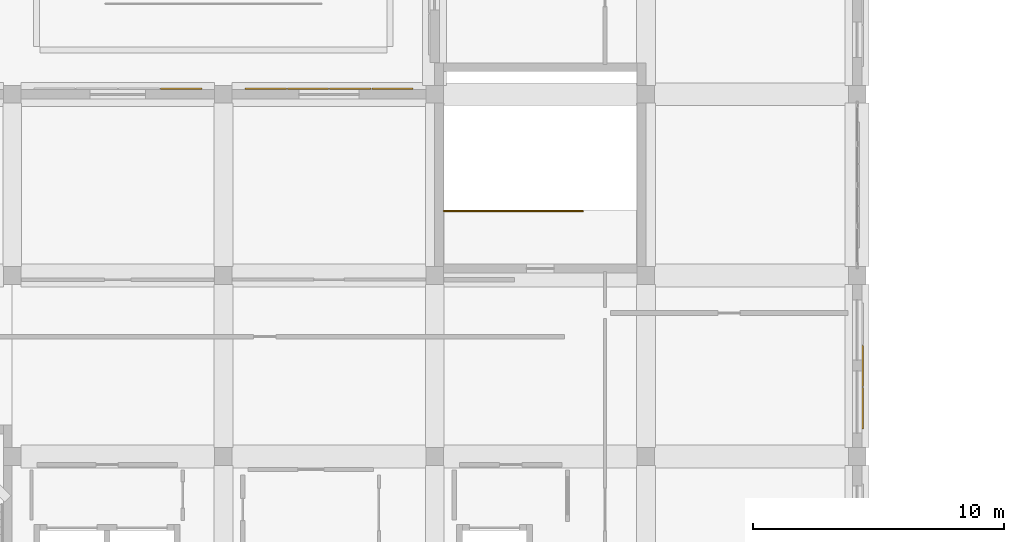
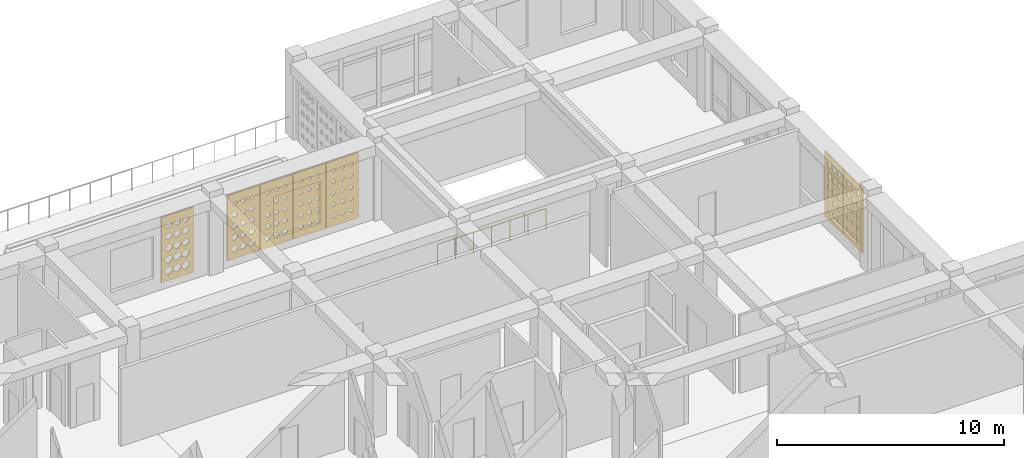
# One storey, part 74 of 79: 7 coverings, 1 railing.
"""IFC4 building model written with IfcOpenShell, lengths in metres."""

from ifc_helpers import new_model, si_unit, derived_unit, direction, frame, origin, origin_2d, place, context, subcontext, project, spatial, polyline, circle, outline, extrude, material, layer, layer_set, type_object, element, save


model = new_model("IFC4")

# Units and contexts
model_context = context("Model", 3, precision=1e-05, world=origin(), true_north=direction((0.0, 1.0)))
body_context = subcontext(model_context, "Body", "Model", "MODEL_VIEW")
ifc_project = project(units=[si_unit("LENGTHUNIT", "METRE"), si_unit("AREAUNIT", "SQUARE_METRE"), si_unit("VOLUMEUNIT", "CUBIC_METRE"), si_unit("PLANEANGLEUNIT", "RADIAN"), si_unit("MASSUNIT", "GRAM", prefix="KILO"), derived_unit("THERMALTRANSMITTANCEUNIT", [(si_unit("POWERUNIT", "WATT"), 1), (si_unit("LENGTHUNIT", "METRE"), -2), (si_unit("THERMODYNAMICTEMPERATUREUNIT", "KELVIN"), -1)])], contexts=[model_context])

# Site, building, storey
site_placement = place(None, origin())
site = spatial("IfcSite", under=ifc_project, at=site_placement, CompositionType="ELEMENT")
building_placement = place(site_placement, origin())
building = spatial("IfcBuilding", under=site, at=building_placement, Name="Veybourne Emporium", CompositionType="ELEMENT")
storey_placement = place(building_placement, frame((0.0, 0.0, 18.89990234375)))
storey = spatial("IfcBuildingStorey", under=building, at=storey_placement, Name="L04", CompositionType="ELEMENT", Elevation=18.89990234375)

# Railing
ifc_material_1 = material(Name="Brushed Stainless Steel", Category="steel")
railing_type = type_object("IfcRailingType", Name="Guard_GR-01", PredefinedType="GUARDRAIL", material=ifc_material_1)
railing_placement = place(storey_placement, frame((75.969970703125, 88.9599609375, 0.0)))
element("IfcRailing", 1, at=railing_placement, inside=storey, type_object=railing_type, Name="L04 ST-04 top well guardrail", PredefinedType="GUARDRAIL", context=body_context, shape_type="SweptSolid", body=[
    extrude(circle(Radius=0.02392578125, at=origin_2d()), frame((0.0, 0.0, 1.1259765625), z_axis=(1.0, 0.0, 0.0), x_axis=(0.0, 1.0, 0.0)), (0.0, 0.0, 1.0), 5.52001953125),
    extrude(circle(Radius=0.02099609375, at=origin_2d()), origin(), (0.0, 0.0, 1.0), 1.101806640625),
    extrude(circle(Radius=0.02099609375, at=origin_2d()), frame((0.919921875, 0.0, 0.0)), (0.0, 0.0, 1.0), 1.101806640625),
    extrude(circle(Radius=0.02099609375, at=origin_2d()), frame((1.840087890625, 0.0, 0.0)), (0.0, 0.0, 1.0), 1.101806640625),
    extrude(circle(Radius=0.02099609375, at=origin_2d()), frame((2.760009765625, 0.0, 0.0)), (0.0, 0.0, 1.0), 1.101806640625),
    extrude(circle(Radius=0.02099609375, at=origin_2d()), frame((3.679931640625, 0.0, 0.0)), (0.0, 0.0, 1.0), 1.101806640625),
    extrude(circle(Radius=0.02099609375, at=origin_2d()), frame((4.60009765625, 0.0, 0.0)), (0.0, 0.0, 1.0), 1.101806640625),
    extrude(circle(Radius=0.02099609375, at=origin_2d()), frame((5.52001953125, 0.0, 0.0)), (0.0, 0.0, 1.0), 1.101806640625),
])

# Coverings
ifc_material_2 = material(Name="Warm-White Perforated Aluminium Screen Alloy", Category="aluminium")
ifc_layer_1 = layer(ifc_material_2, 0.06005859375)
ifc_layer_set_1 = layer_set([ifc_layer_1], Name="Warm-White Perforated Aluminium Screen Alloy")
covering_type_1 = type_object("IfcCoveringType", Name="WaveScreen_SCR-01", PredefinedType="CLADDING", material=ifc_layer_set_1)
covering_1_placement = place(storey_placement, frame((72.239990234375, 93.84814453125, 1.815185546875), z_axis=(0.0, -1.0, 0.0), x_axis=(1.0, 0.0, 0.0)))
element("IfcCovering", 2, at=covering_1_placement, inside=storey, type_object=covering_type_1, Name="L04 wave-perforated aluminium screen SCR-01 (37T.3)", PredefinedType="CLADDING", context=body_context, shape_type="SweptSolid", body=[
    extrude(outline(polyline([(-0.81982421875, -1.7548828125), (0.81982421875, -1.7548828125), (0.81982421875, 1.7548828125), (-0.81982421875, 1.7548828125), (-0.81982421875, -1.7548828125)]), holes=[polyline([(-0.433349609375, -1.08935546875), (-0.309814453125, -1.177978515625), (-0.309814453125, -1.27783203125), (-0.433349609375, -1.36669921875), (-0.556884765625, -1.27783203125), (-0.556884765625, -1.177978515625), (-0.433349609375, -1.08935546875)]), polyline([(-0.433349609375, -0.4853515625), (-0.318115234375, -0.567626953125), (-0.318115234375, -0.660400390625), (-0.433349609375, -0.74267578125), (-0.548583984375, -0.660400390625), (-0.548583984375, -0.567626953125), (-0.433349609375, -0.4853515625)]), polyline([(-0.433349609375, 0.12060546875), (-0.32470703125, 0.04345703125), (-0.32470703125, -0.04345703125), (-0.433349609375, -0.12060546875), (-0.5419921875, -0.04345703125), (-0.5419921875, 0.04345703125), (-0.433349609375, 0.12060546875)]), polyline([(-0.433349609375, 0.728759765625), (-0.329345703125, 0.6552734375), (-0.329345703125, 0.57275390625), (-0.433349609375, 0.499267578125), (-0.537353515625, 0.57275390625), (-0.537353515625, 0.6552734375), (-0.433349609375, 0.728759765625)]), polyline([(-0.433349609375, 1.339111328125), (-0.332275390625, 1.26806640625), (-0.332275390625, 1.18798828125), (-0.433349609375, 1.11669921875), (-0.5341796875, 1.18798828125), (-0.5341796875, 1.26806640625), (-0.433349609375, 1.339111328125)]), polyline([(0.0, -1.093994140625), (0.11962890625, -1.1796875), (0.11962890625, -1.276123046875), (0.0, -1.36181640625), (-0.11962890625, -1.276123046875), (-0.11962890625, -1.1796875), (0.0, -1.093994140625)]), polyline([(0.0, -0.489013671875), (0.1123046875, -0.569091796875), (0.1123046875, -0.658935546875), (0.0, -0.739013671875), (-0.1123046875, -0.658935546875), (-0.1123046875, -0.569091796875), (0.0, -0.489013671875)]), polyline([(0.0, 0.117919921875), (0.1064453125, 0.04248046875), (0.1064453125, -0.04248046875), (0.0, -0.117919921875), (-0.1064453125, -0.04248046875), (-0.1064453125, 0.04248046875), (0.0, 0.117919921875)]), polyline([(0.0, 0.726806640625), (0.102294921875, 0.654541015625), (0.102294921875, 0.573486328125), (0.0, 0.501220703125), (-0.102294921875, 0.573486328125), (-0.102294921875, 0.654541015625), (0.0, 0.726806640625)]), polyline([(0.0, 1.33837890625), (0.100341796875, 1.267578125), (0.100341796875, 1.188232421875), (0.0, 1.11767578125), (-0.100341796875, 1.188232421875), (-0.100341796875, 1.267578125), (0.0, 1.33837890625)]), polyline([(0.433349609375, -1.098388671875), (0.54931640625, -1.181396484375), (0.54931640625, -1.274658203125), (0.433349609375, -1.357666015625), (0.3173828125, -1.274658203125), (0.3173828125, -1.181396484375), (0.433349609375, -1.098388671875)]), polyline([(0.433349609375, -0.49267578125), (0.54248046875, -0.5703125), (0.54248046875, -0.65771484375), (0.433349609375, -0.7353515625), (0.323974609375, -0.65771484375), (0.323974609375, -0.5703125), (0.433349609375, -0.49267578125)]), polyline([(0.433349609375, 0.115234375), (0.53759765625, 0.04150390625), (0.53759765625, -0.04150390625), (0.433349609375, -0.115234375), (0.3291015625, -0.04150390625), (0.3291015625, 0.04150390625), (0.433349609375, 0.115234375)]), polyline([(0.433349609375, 0.725341796875), (0.534423828125, 0.654052734375), (0.534423828125, 0.573974609375), (0.433349609375, 0.502685546875), (0.33203125, 0.573974609375), (0.33203125, 0.654052734375), (0.433349609375, 0.725341796875)]), polyline([(0.433349609375, 1.337890625), (0.533203125, 1.267578125), (0.533203125, 1.1884765625), (0.433349609375, 1.117919921875), (0.333251953125, 1.1884765625), (0.333251953125, 1.267578125), (0.433349609375, 1.337890625)])]), origin(), (0.0, 0.0, 1.0), 0.06005859375),
])
ifc_layer_2 = layer(ifc_material_2, 0.06005859375)
ifc_layer_set_2 = layer_set([ifc_layer_2], Name="Warm-White Perforated Aluminium Screen Alloy")
covering_type_2 = type_object("IfcCoveringType", Name="WaveScreen_SCR-02", PredefinedType="CLADDING", material=ifc_layer_set_2)
covering_2_placement = place(storey_placement, frame((73.919921875, 93.84814453125, 1.815185546875), z_axis=(0.0, -1.0, 0.0), x_axis=(1.0, 0.0, 0.0)))
element("IfcCovering", 3, at=covering_2_placement, inside=storey, type_object=covering_type_2, Name="L04 wave-perforated aluminium screen SCR-02 (37T.4)", PredefinedType="CLADDING", context=body_context, shape_type="SweptSolid", body=[
    extrude(outline(polyline([(-0.81982421875, -1.7548828125), (0.81982421875, -1.7548828125), (0.81982421875, 1.7548828125), (-0.81982421875, 1.7548828125), (-0.81982421875, -1.7548828125)]), holes=[polyline([(-0.433349609375, -1.10546875), (-0.322998046875, -1.183837890625), (-0.322998046875, -1.272216796875), (-0.433349609375, -1.3505859375), (-0.54345703125, -1.272216796875), (-0.54345703125, -1.183837890625), (-0.433349609375, -1.10546875)]), polyline([(-0.433349609375, -0.498046875), (-0.328369140625, -0.572265625), (-0.328369140625, -0.65576171875), (-0.433349609375, -0.72998046875), (-0.538330078125, -0.65576171875), (-0.538330078125, -0.572265625), (-0.433349609375, -0.498046875)]), polyline([(-0.433349609375, 0.11181640625), (-0.331787109375, 0.040283203125), (-0.331787109375, -0.040283203125), (-0.433349609375, -0.11181640625), (-0.534912109375, -0.040283203125), (-0.534912109375, 0.040283203125), (-0.433349609375, 0.11181640625)]), polyline([(-0.433349609375, 0.72412109375), (-0.333251953125, 0.653564453125), (-0.333251953125, 0.574462890625), (-0.433349609375, 0.50390625), (-0.533447265625, 0.574462890625), (-0.533447265625, 0.653564453125), (-0.433349609375, 0.72412109375)]), polyline([(-0.433349609375, 1.338623046875), (-0.332763671875, 1.267822265625), (-0.332763671875, 1.18798828125), (-0.433349609375, 1.1171875), (-0.533935546875, 1.18798828125), (-0.533935546875, 1.267822265625), (-0.433349609375, 1.338623046875)]), polyline([(0.0, -1.108642578125), (0.107666015625, -1.18505859375), (0.107666015625, -1.27099609375), (0.0, -1.347412109375), (-0.107666015625, -1.27099609375), (-0.107666015625, -1.18505859375), (0.0, -1.108642578125)]), polyline([(0.0, -0.5), (0.103271484375, -0.572998046875), (0.103271484375, -0.655029296875), (0.0, -0.727783203125), (-0.103271484375, -0.655029296875), (-0.103271484375, -0.572998046875), (0.0, -0.5)]), polyline([(0.0, 0.11083984375), (0.1005859375, 0.039794921875), (0.1005859375, -0.039794921875), (0.0, -0.11083984375), (-0.1005859375, -0.039794921875), (-0.1005859375, 0.039794921875), (0.0, 0.11083984375)]), polyline([(0.0, 0.72412109375), (0.10009765625, 0.653564453125), (0.10009765625, 0.574462890625), (0.0, 0.50390625), (-0.10009765625, 0.574462890625), (-0.10009765625, 0.653564453125), (0.0, 0.72412109375)]), polyline([(0.0, 1.33984375), (0.1015625, 1.268310546875), (0.1015625, 1.187744140625), (0.0, 1.1162109375), (-0.1015625, 1.187744140625), (-0.1015625, 1.268310546875), (0.0, 1.33984375)]), polyline([(0.433349609375, -1.111572265625), (0.538818359375, -1.18603515625), (0.538818359375, -1.27001953125), (0.433349609375, -1.344482421875), (0.327880859375, -1.27001953125), (0.327880859375, -1.18603515625), (0.433349609375, -1.111572265625)]), polyline([(0.433349609375, -0.501708984375), (0.53515625, -0.573486328125), (0.53515625, -0.654296875), (0.433349609375, -0.726318359375), (0.33154296875, -0.654296875), (0.33154296875, -0.573486328125), (0.433349609375, -0.501708984375)]), polyline([(0.433349609375, 0.110107421875), (0.533447265625, 0.03955078125), (0.533447265625, -0.03955078125), (0.433349609375, -0.110107421875), (0.333251953125, -0.03955078125), (0.333251953125, 0.03955078125), (0.433349609375, 0.110107421875)]), polyline([(0.433349609375, 0.724609375), (0.53369140625, 0.65380859375), (0.53369140625, 0.57421875), (0.433349609375, 0.50341796875), (0.3330078125, 0.57421875), (0.3330078125, 0.65380859375), (0.433349609375, 0.724609375)]), polyline([(0.433349609375, 1.34130859375), (0.5361328125, 1.268798828125), (0.5361328125, 1.187255859375), (0.433349609375, 1.114501953125), (0.33056640625, 1.187255859375), (0.33056640625, 1.268798828125), (0.433349609375, 1.34130859375)])]), origin(), (0.0, 0.0, 1.0), 0.06005859375),
])
ifc_layer_3 = layer(ifc_material_2, 0.06005859375)
ifc_layer_set_3 = layer_set([ifc_layer_3], Name="Warm-White Perforated Aluminium Screen Alloy")
covering_type_3 = type_object("IfcCoveringType", Name="WaveScreen_SCR-03", PredefinedType="CLADDING", material=ifc_layer_set_3)
covering_3_placement = place(storey_placement, frame((68.8798828125, 93.84814453125, 1.815185546875), z_axis=(0.0, -1.0, 0.0), x_axis=(1.0, 0.0, 0.0)))
element("IfcCovering", 4, at=covering_3_placement, inside=storey, type_object=covering_type_3, Name="L04 wave-perforated aluminium screen SCR-03 (37T.1)", PredefinedType="CLADDING", context=body_context, shape_type="SweptSolid", body=[
    extrude(outline(polyline([(-0.81982421875, -1.7548828125), (0.81982421875, -1.7548828125), (0.81982421875, 1.7548828125), (-0.81982421875, 1.7548828125), (-0.81982421875, -1.7548828125)]), holes=[polyline([(-0.433349609375, -1.044189453125), (-0.27294921875, -1.161865234375), (-0.27294921875, -1.294189453125), (-0.433349609375, -1.41162109375), (-0.59375, -1.294189453125), (-0.59375, -1.161865234375), (-0.433349609375, -1.044189453125)]), polyline([(-0.433349609375, -0.444091796875), (-0.284423828125, -0.552978515625), (-0.284423828125, -0.675048828125), (-0.433349609375, -0.78369140625), (-0.582275390625, -0.675048828125), (-0.582275390625, -0.552978515625), (-0.433349609375, -0.444091796875)]), polyline([(-0.433349609375, 0.156494140625), (-0.295166015625, 0.056396484375), (-0.295166015625, -0.056396484375), (-0.433349609375, -0.156494140625), (-0.571533203125, -0.056396484375), (-0.571533203125, 0.056396484375), (-0.433349609375, 0.156494140625)]), polyline([(-0.433349609375, 0.75830078125), (-0.30517578125, 0.666015625), (-0.30517578125, 0.56201171875), (-0.433349609375, 0.469482421875), (-0.5615234375, 0.56201171875), (-0.5615234375, 0.666015625), (-0.433349609375, 0.75830078125)]), polyline([(-0.433349609375, 1.36181640625), (-0.31396484375, 1.276123046875), (-0.31396484375, 1.179931640625), (-0.433349609375, 1.09423828125), (-0.552734375, 1.179931640625), (-0.552734375, 1.276123046875), (-0.433349609375, 1.36181640625)]), polyline([(0.0, -1.050537109375), (0.155029296875, -1.1640625), (0.155029296875, -1.2919921875), (0.0, -1.405517578125), (-0.155029296875, -1.2919921875), (-0.155029296875, -1.1640625), (0.0, -1.050537109375)]), polyline([(0.0, -0.4501953125), (0.143798828125, -0.55517578125), (0.143798828125, -0.6728515625), (0.0, -0.777587890625), (-0.143798828125, -0.6728515625), (-0.143798828125, -0.55517578125), (0.0, -0.4501953125)]), polyline([(0.0, 0.15087890625), (0.133544921875, 0.05419921875), (0.133544921875, -0.05419921875), (0.0, -0.15087890625), (-0.133544921875, -0.05419921875), (-0.133544921875, 0.05419921875), (0.0, 0.15087890625)]), polyline([(0.0, 0.75341796875), (0.1240234375, 0.664306640625), (0.1240234375, 0.563720703125), (0.0, 0.474609375), (-0.1240234375, 0.563720703125), (-0.1240234375, 0.664306640625), (0.0, 0.75341796875)]), polyline([(0.0, 1.357421875), (0.11572265625, 1.274658203125), (0.11572265625, 1.181396484375), (0.0, 1.0986328125), (-0.11572265625, 1.181396484375), (-0.11572265625, 1.274658203125), (0.0, 1.357421875)]), polyline([(0.433349609375, -1.056884765625), (0.583251953125, -1.16650390625), (0.583251953125, -1.28955078125), (0.433349609375, -1.399169921875), (0.283203125, -1.28955078125), (0.283203125, -1.16650390625), (0.433349609375, -1.056884765625)]), polyline([(0.433349609375, -0.456298828125), (0.572509765625, -0.55712890625), (0.572509765625, -0.6708984375), (0.433349609375, -0.771728515625), (0.294189453125, -0.6708984375), (0.294189453125, -0.55712890625), (0.433349609375, -0.456298828125)]), polyline([(0.433349609375, 0.1455078125), (0.5625, 0.052490234375), (0.5625, -0.052490234375), (0.433349609375, -0.1455078125), (0.30419921875, -0.052490234375), (0.30419921875, 0.052490234375), (0.433349609375, 0.1455078125)]), polyline([(0.433349609375, 0.74853515625), (0.553466796875, 0.662353515625), (0.553466796875, 0.565673828125), (0.433349609375, 0.4794921875), (0.313232421875, 0.565673828125), (0.313232421875, 0.662353515625), (0.433349609375, 0.74853515625)]), polyline([(0.433349609375, 1.353515625), (0.5458984375, 1.273193359375), (0.5458984375, 1.182861328125), (0.433349609375, 1.1025390625), (0.32080078125, 1.182861328125), (0.32080078125, 1.273193359375), (0.433349609375, 1.353515625)])]), origin(), (0.0, 0.0, 1.0), 0.06005859375),
])
covering_4_placement = place(storey_placement, frame((92.64794921875, 82.800048828125, 1.815185546875), z_axis=(-1.0, 0.0, 0.0), x_axis=(0.0, -1.0, 0.0)))
element("IfcCovering", 5, at=covering_4_placement, inside=storey, type_object=covering_type_3, Name="L04 wave-perforated aluminium screen SCR-03 (44.2)", PredefinedType="CLADDING", context=body_context, shape_type="SweptSolid", body=[
    extrude(outline(polyline([(-0.81982421875, -1.7548828125), (0.81982421875, -1.7548828125), (0.81982421875, 1.7548828125), (-0.81982421875, 1.7548828125), (-0.81982421875, -1.7548828125)]), holes=[polyline([(-0.433349609375, -1.081298828125), (-0.303466796875, -1.17529296875), (-0.303466796875, -1.28076171875), (-0.433349609375, -1.37451171875), (-0.563232421875, -1.28076171875), (-0.563232421875, -1.17529296875), (-0.433349609375, -1.081298828125)]), polyline([(-0.433349609375, -0.455078125), (-0.293212890625, -0.556640625), (-0.293212890625, -0.67138671875), (-0.433349609375, -0.77294921875), (-0.573486328125, -0.67138671875), (-0.573486328125, -0.556640625), (-0.433349609375, -0.455078125)]), polyline([(-0.433349609375, 0.17236328125), (-0.2822265625, 0.06201171875), (-0.2822265625, -0.06201171875), (-0.433349609375, -0.17236328125), (-0.58447265625, -0.06201171875), (-0.58447265625, 0.06201171875), (-0.433349609375, 0.17236328125)]), polyline([(-0.433349609375, 0.80029296875), (-0.270751953125, 0.68115234375), (-0.270751953125, 0.546875), (-0.433349609375, 0.427490234375), (-0.595947265625, 0.546875), (-0.595947265625, 0.68115234375), (-0.433349609375, 0.80029296875)]), polyline([(-0.433349609375, 1.4287109375), (-0.25927734375, 1.30029296875), (-0.25927734375, 1.15576171875), (-0.433349609375, 1.02734375), (-0.607421875, 1.15576171875), (-0.607421875, 1.30029296875), (-0.433349609375, 1.4287109375)]), polyline([(0.0, -1.086669921875), (0.125732421875, -1.177001953125), (0.125732421875, -1.27880859375), (0.0, -1.369384765625), (-0.125732421875, -1.27880859375), (-0.125732421875, -1.177001953125), (0.0, -1.086669921875)]), polyline([(0.0, -0.460693359375), (0.135498046875, -0.558837890625), (0.135498046875, -0.669189453125), (0.0, -0.767333984375), (-0.135498046875, -0.669189453125), (-0.135498046875, -0.558837890625), (0.0, -0.460693359375)]), polyline([(0.0, 0.166259765625), (0.14599609375, 0.059814453125), (0.14599609375, -0.059814453125), (0.0, -0.166259765625), (-0.14599609375, -0.059814453125), (-0.14599609375, 0.059814453125), (0.0, 0.166259765625)]), polyline([(0.0, 0.7939453125), (0.1572265625, 0.6787109375), (0.1572265625, 0.54931640625), (0.0, 0.43408203125), (-0.1572265625, 0.54931640625), (-0.1572265625, 0.6787109375), (0.0, 0.7939453125)]), polyline([(0.0, 1.422119140625), (0.1689453125, 1.2978515625), (0.1689453125, 1.158203125), (0.0, 1.03369140625), (-0.1689453125, 1.158203125), (-0.1689453125, 1.2978515625), (0.0, 1.422119140625)]), polyline([(0.433349609375, -1.091552734375), (0.554931640625, -1.1787109375), (0.554931640625, -1.277099609375), (0.433349609375, -1.364501953125), (0.3115234375, -1.277099609375), (0.3115234375, -1.1787109375), (0.433349609375, -1.091552734375)]), polyline([(0.433349609375, -0.46630859375), (0.564208984375, -0.560791015625), (0.564208984375, -0.667236328125), (0.433349609375, -0.76171875), (0.302490234375, -0.667236328125), (0.302490234375, -0.560791015625), (0.433349609375, -0.46630859375)]), polyline([(0.433349609375, 0.16015625), (0.574462890625, 0.0576171875), (0.574462890625, -0.0576171875), (0.433349609375, -0.16015625), (0.292236328125, -0.0576171875), (0.292236328125, 0.0576171875), (0.433349609375, 0.16015625)]), polyline([(0.433349609375, 0.78759765625), (0.58544921875, 0.676513671875), (0.58544921875, 0.551513671875), (0.433349609375, 0.440185546875), (0.28125, 0.551513671875), (0.28125, 0.676513671875), (0.433349609375, 0.78759765625)]), polyline([(0.433349609375, 1.415771484375), (0.596923828125, 1.295654296875), (0.596923828125, 1.160400390625), (0.433349609375, 1.040283203125), (0.269775390625, 1.160400390625), (0.269775390625, 1.295654296875), (0.433349609375, 1.415771484375)])]), origin(), (0.0, 0.0, 1.0), 0.06005859375),
])
ifc_layer_4 = layer(ifc_material_2, 0.06005859375)
ifc_layer_set_4 = layer_set([ifc_layer_4], Name="Warm-White Perforated Aluminium Screen Alloy")
covering_type_4 = type_object("IfcCoveringType", Name="WaveScreen_SCR-04", PredefinedType="CLADDING", material=ifc_layer_set_4)
covering_5_placement = place(storey_placement, frame((65.52001953125, 93.84814453125, 1.815185546875), z_axis=(0.0, -1.0, 0.0), x_axis=(1.0, 0.0, 0.0)))
element("IfcCovering", 6, at=covering_5_placement, inside=storey, type_object=covering_type_4, Name="L04 wave-perforated aluminium screen SCR-04 (35T.4)", PredefinedType="CLADDING", context=body_context, shape_type="SweptSolid", body=[
    extrude(outline(polyline([(-0.81982421875, -1.7548828125), (0.81982421875, -1.7548828125), (0.81982421875, 1.7548828125), (-0.81982421875, 1.7548828125), (-0.81982421875, -1.7548828125)]), holes=[polyline([(-0.433349609375, -0.99609375), (-0.2470703125, -1.14453125), (-0.2470703125, -1.3115234375), (-0.433349609375, -1.4599609375), (-0.61962890625, -1.3115234375), (-0.61962890625, -1.14453125), (-0.433349609375, -0.99609375)]), polyline([(-0.433349609375, -0.39501953125), (-0.2470703125, -0.53515625), (-0.2470703125, -0.69287109375), (-0.433349609375, -0.8330078125), (-0.61962890625, -0.69287109375), (-0.61962890625, -0.53515625), (-0.433349609375, -0.39501953125)]), polyline([(-0.433349609375, 0.205078125), (-0.25537109375, 0.073974609375), (-0.25537109375, -0.073974609375), (-0.433349609375, -0.205078125), (-0.611083984375, -0.073974609375), (-0.611083984375, 0.073974609375), (-0.433349609375, 0.205078125)]), polyline([(-0.433349609375, 0.80517578125), (-0.26708984375, 0.682861328125), (-0.26708984375, 0.545166015625), (-0.433349609375, 0.4228515625), (-0.599609375, 0.545166015625), (-0.599609375, 0.682861328125), (-0.433349609375, 0.80517578125)]), polyline([(-0.433349609375, 1.405029296875), (-0.278564453125, 1.291748046875), (-0.278564453125, 1.164306640625), (-0.433349609375, 1.051025390625), (-0.588134765625, 1.164306640625), (-0.588134765625, 1.291748046875), (-0.433349609375, 1.405029296875)]), polyline([(0.0, -1.001708984375), (0.186279296875, -1.146484375), (0.186279296875, -1.309326171875), (0.0, -1.4541015625), (-0.186279296875, -1.309326171875), (-0.186279296875, -1.146484375), (0.0, -1.001708984375)]), polyline([(0.0, -0.401123046875), (0.18408203125, -0.537353515625), (0.18408203125, -0.690673828125), (0.0, -0.826904296875), (-0.18408203125, -0.690673828125), (-0.18408203125, -0.537353515625), (0.0, -0.401123046875)]), polyline([(0.0, 0.19873046875), (0.172607421875, 0.071533203125), (0.172607421875, -0.071533203125), (0.0, -0.19873046875), (-0.172607421875, -0.071533203125), (-0.172607421875, 0.071533203125), (0.0, 0.19873046875)]), polyline([(0.0, 0.798583984375), (0.1611328125, 0.680419921875), (0.1611328125, 0.547607421875), (0.0, 0.429443359375), (-0.1611328125, 0.547607421875), (-0.1611328125, 0.680419921875), (0.0, 0.798583984375)]), polyline([(0.0, 1.398681640625), (0.149658203125, 1.28955078125), (0.149658203125, 1.16650390625), (0.0, 1.057373046875), (-0.149658203125, 1.16650390625), (-0.149658203125, 1.28955078125), (0.0, 1.398681640625)]), polyline([(0.433349609375, -1.0078125), (0.61962890625, -1.148681640625), (0.61962890625, -1.307373046875), (0.433349609375, -1.4482421875), (0.2470703125, -1.307373046875), (0.2470703125, -1.148681640625), (0.433349609375, -1.0078125)]), polyline([(0.433349609375, -0.407470703125), (0.6123046875, -0.539794921875), (0.6123046875, -0.688232421875), (0.433349609375, -0.820556640625), (0.25439453125, -0.688232421875), (0.25439453125, -0.539794921875), (0.433349609375, -0.407470703125)]), polyline([(0.433349609375, 0.1923828125), (0.6005859375, 0.0693359375), (0.6005859375, -0.0693359375), (0.433349609375, -0.1923828125), (0.265869140625, -0.0693359375), (0.265869140625, 0.0693359375), (0.433349609375, 0.1923828125)]), polyline([(0.433349609375, 0.792236328125), (0.589111328125, 0.67822265625), (0.589111328125, 0.5498046875), (0.433349609375, 0.435791015625), (0.277587890625, 0.5498046875), (0.277587890625, 0.67822265625), (0.433349609375, 0.792236328125)]), polyline([(0.433349609375, 1.392578125), (0.577880859375, 1.287109375), (0.577880859375, 1.168701171875), (0.433349609375, 1.0634765625), (0.288818359375, 1.168701171875), (0.288818359375, 1.287109375), (0.433349609375, 1.392578125)])]), origin(), (0.0, 0.0, 1.0), 0.06005859375),
])
covering_6_placement = place(storey_placement, frame((70.56005859375, 93.84814453125, 1.815185546875), z_axis=(0.0, -1.0, 0.0), x_axis=(1.0, 0.0, 0.0)))
element("IfcCovering", 7, at=covering_6_placement, inside=storey, type_object=covering_type_4, Name="L04 wave-perforated aluminium screen SCR-04 (37T.2)", PredefinedType="CLADDING", context=body_context, shape_type="SweptSolid", body=[
    extrude(outline(polyline([(-0.81982421875, -1.7548828125), (0.81982421875, -1.7548828125), (0.81982421875, 1.7548828125), (-0.81982421875, 1.7548828125), (-0.81982421875, -1.7548828125)]), holes=[polyline([(-0.433349609375, -1.068359375), (-0.292724609375, -1.17041015625), (-0.292724609375, -1.285400390625), (-0.433349609375, -1.3876953125), (-0.573974609375, -1.285400390625), (-0.573974609375, -1.17041015625), (-0.433349609375, -1.068359375)]), polyline([(-0.433349609375, -0.466796875), (-0.302978515625, -0.56103515625), (-0.302978515625, -0.6669921875), (-0.433349609375, -0.76123046875), (-0.563720703125, -0.6669921875), (-0.563720703125, -0.56103515625), (-0.433349609375, -0.466796875)]), polyline([(-0.433349609375, 0.135986328125), (-0.31201171875, 0.049072265625), (-0.31201171875, -0.049072265625), (-0.433349609375, -0.135986328125), (-0.5546875, -0.049072265625), (-0.5546875, 0.049072265625), (-0.433349609375, 0.135986328125)]), polyline([(-0.433349609375, 0.740478515625), (-0.319580078125, 0.65966796875), (-0.319580078125, 0.568359375), (-0.433349609375, 0.4873046875), (-0.546875, 0.568359375), (-0.546875, 0.65966796875), (-0.433349609375, 0.740478515625)]), polyline([(-0.433349609375, 1.34716796875), (-0.325927734375, 1.27099609375), (-0.325927734375, 1.18505859375), (-0.433349609375, 1.10888671875), (-0.540771484375, 1.18505859375), (-0.540771484375, 1.27099609375), (-0.433349609375, 1.34716796875)]), polyline([(0.0, -1.07421875), (0.135986328125, -1.172607421875), (0.135986328125, -1.283447265625), (0.0, -1.3818359375), (-0.135986328125, -1.283447265625), (-0.135986328125, -1.172607421875), (0.0, -1.07421875)]), polyline([(0.0, -0.471923828125), (0.126220703125, -0.56298828125), (0.126220703125, -0.6650390625), (0.0, -0.756103515625), (-0.126220703125, -0.6650390625), (-0.126220703125, -0.56298828125), (0.0, -0.471923828125)]), polyline([(0.0, 0.131591796875), (0.11767578125, 0.04736328125), (0.11767578125, -0.04736328125), (0.0, -0.131591796875), (-0.11767578125, -0.04736328125), (-0.11767578125, 0.04736328125), (0.0, 0.131591796875)]), polyline([(0.0, 0.737060546875), (0.110595703125, 0.658203125), (0.110595703125, 0.569580078125), (0.0, 0.490966796875), (-0.110595703125, 0.569580078125), (-0.110595703125, 0.658203125), (0.0, 0.737060546875)]), polyline([(0.0, 1.344482421875), (0.105224609375, 1.27001953125), (0.105224609375, 1.18603515625), (0.0, 1.111572265625), (-0.105224609375, 1.18603515625), (-0.105224609375, 1.27001953125), (0.0, 1.344482421875)]), polyline([(0.433349609375, -1.07958984375), (0.564697265625, -1.174560546875), (0.564697265625, -1.281494140625), (0.433349609375, -1.376220703125), (0.302001953125, -1.281494140625), (0.302001953125, -1.174560546875), (0.433349609375, -1.07958984375)]), polyline([(0.433349609375, -0.476806640625), (0.555419921875, -0.564697265625), (0.555419921875, -0.663330078125), (0.433349609375, -0.751220703125), (0.311279296875, -0.663330078125), (0.311279296875, -0.564697265625), (0.433349609375, -0.476806640625)]), polyline([(0.433349609375, 0.12744140625), (0.547607421875, 0.0458984375), (0.547607421875, -0.0458984375), (0.433349609375, -0.12744140625), (0.319091796875, -0.0458984375), (0.319091796875, 0.0458984375), (0.433349609375, 0.12744140625)]), polyline([(0.433349609375, 0.733642578125), (0.541259765625, 0.656982421875), (0.541259765625, 0.57080078125), (0.433349609375, 0.494384765625), (0.325439453125, 0.57080078125), (0.325439453125, 0.656982421875), (0.433349609375, 0.733642578125)]), polyline([(0.433349609375, 1.342041015625), (0.53662109375, 1.26904296875), (0.53662109375, 1.18701171875), (0.433349609375, 1.114013671875), (0.329833984375, 1.18701171875), (0.329833984375, 1.26904296875), (0.433349609375, 1.342041015625)])]), origin(), (0.0, 0.0, 1.0), 0.06005859375),
])
covering_7_placement = place(storey_placement, frame((92.64794921875, 81.1201171875, 1.815185546875), z_axis=(-1.0, 0.0, 0.0), x_axis=(0.0, -1.0, 0.0)))
element("IfcCovering", 8, at=covering_7_placement, inside=storey, type_object=covering_type_4, Name="L04 wave-perforated aluminium screen SCR-04 (44.3)", PredefinedType="CLADDING", context=body_context, shape_type="SweptSolid", body=[
    extrude(outline(polyline([(-0.81982421875, -1.7548828125), (0.81982421875, -1.7548828125), (0.81982421875, 1.7548828125), (-0.81982421875, 1.7548828125), (-0.81982421875, -1.7548828125)]), holes=[polyline([(-0.433349609375, -1.099609375), (-0.318359375, -1.181884765625), (-0.318359375, -1.274169921875), (-0.433349609375, -1.356201171875), (-0.54833984375, -1.274169921875), (-0.54833984375, -1.181884765625), (-0.433349609375, -1.099609375)]), polyline([(-0.433349609375, -0.475830078125), (-0.310302734375, -0.564208984375), (-0.310302734375, -0.663818359375), (-0.433349609375, -0.752197265625), (-0.556396484375, -0.663818359375), (-0.556396484375, -0.564208984375), (-0.433349609375, -0.475830078125)]), polyline([(-0.433349609375, 0.1494140625), (-0.301025390625, 0.0537109375), (-0.301025390625, -0.0537109375), (-0.433349609375, -0.1494140625), (-0.565673828125, -0.0537109375), (-0.565673828125, 0.0537109375), (-0.433349609375, 0.1494140625)]), polyline([(-0.433349609375, 0.776123046875), (-0.29052734375, 0.67236328125), (-0.29052734375, 0.5556640625), (-0.433349609375, 0.451904296875), (-0.575927734375, 0.5556640625), (-0.575927734375, 0.67236328125), (-0.433349609375, 0.776123046875)]), polyline([(-0.433349609375, 1.40380859375), (-0.279541015625, 1.291259765625), (-0.279541015625, 1.164794921875), (-0.433349609375, 1.05224609375), (-0.587158203125, 1.164794921875), (-0.587158203125, 1.291259765625), (-0.433349609375, 1.40380859375)]), polyline([(0.0, -1.103515625), (0.11181640625, -1.18310546875), (0.11181640625, -1.272705078125), (0.0, -1.3525390625), (-0.11181640625, -1.272705078125), (-0.11181640625, -1.18310546875), (0.0, -1.103515625)]), polyline([(0.0, -0.480712890625), (0.119140625, -0.56591796875), (0.119140625, -0.662109375), (0.0, -0.747314453125), (-0.119140625, -0.662109375), (-0.119140625, -0.56591796875), (0.0, -0.480712890625)]), polyline([(0.0, 0.144287109375), (0.1279296875, 0.052001953125), (0.1279296875, -0.052001953125), (0.0, -0.144287109375), (-0.1279296875, -0.052001953125), (-0.1279296875, 0.052001953125), (0.0, 0.144287109375)]), polyline([(0.0, 0.770263671875), (0.137939453125, 0.67041015625), (0.137939453125, 0.5576171875), (0.0, 0.457763671875), (-0.137939453125, 0.5576171875), (-0.137939453125, 0.67041015625), (0.0, 0.770263671875)]), polyline([(0.0, 1.3974609375), (0.148681640625, 1.2890625), (0.148681640625, 1.1669921875), (0.0, 1.05859375), (-0.148681640625, 1.1669921875), (-0.148681640625, 1.2890625), (0.0, 1.3974609375)]), polyline([(0.433349609375, -1.10693359375), (0.54248046875, -1.184326171875), (0.54248046875, -1.271484375), (0.433349609375, -1.34912109375), (0.32421875, -1.271484375), (0.32421875, -1.184326171875), (0.433349609375, -1.10693359375)]), polyline([(0.433349609375, -0.48486328125), (0.549072265625, -0.5673828125), (0.549072265625, -0.660400390625), (0.433349609375, -0.7431640625), (0.317626953125, -0.660400390625), (0.317626953125, -0.5673828125), (0.433349609375, -0.48486328125)]), polyline([(0.433349609375, 0.13916015625), (0.55712890625, 0.050048828125), (0.55712890625, -0.050048828125), (0.433349609375, -0.13916015625), (0.3095703125, -0.050048828125), (0.3095703125, 0.050048828125), (0.433349609375, 0.13916015625)]), polyline([(0.433349609375, 0.7646484375), (0.566650390625, 0.668212890625), (0.566650390625, 0.559814453125), (0.433349609375, 0.46337890625), (0.300048828125, 0.559814453125), (0.300048828125, 0.668212890625), (0.433349609375, 0.7646484375)]), polyline([(0.433349609375, 1.391357421875), (0.576904296875, 1.286865234375), (0.576904296875, 1.169189453125), (0.433349609375, 1.064697265625), (0.28955078125, 1.169189453125), (0.28955078125, 1.286865234375), (0.433349609375, 1.391357421875)])]), origin(), (0.0, 0.0, 1.0), 0.06005859375),
])

save(model, "model.ifc")
